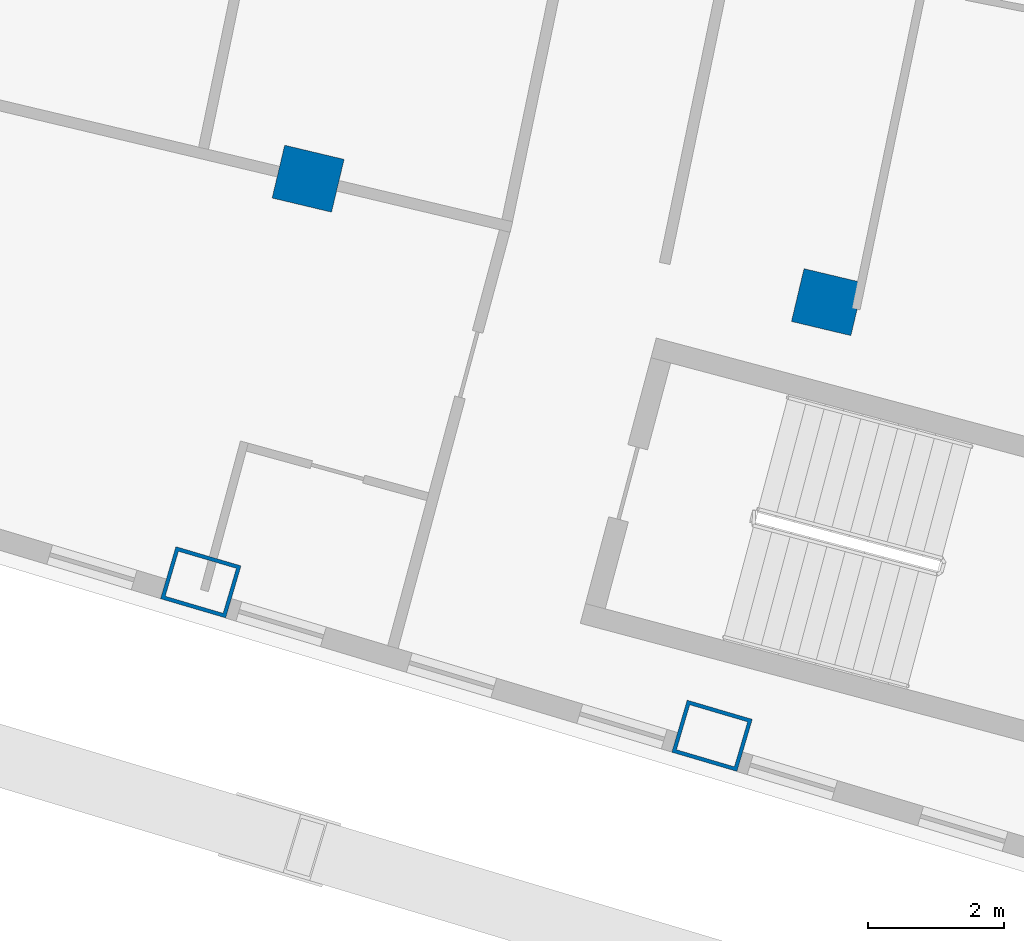
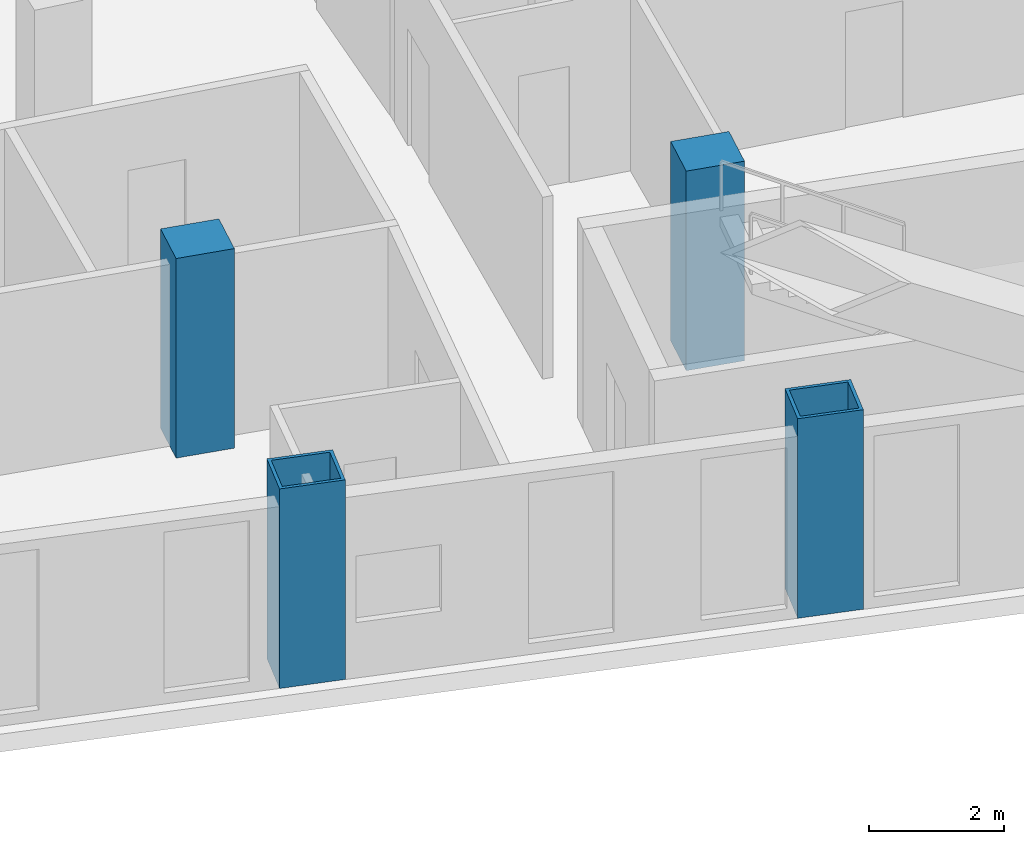
# One storey, part 2 of 22: 4 columns.
"""IFC4 building model written with IfcOpenShell, lengths in metres."""

from ifc_helpers import new_model, si_unit, direction, frame, origin, origin_2d, place, context, subcontext, project, spatial, rectangle, hollow_rectangle, extrude, material, material_profile, profile_set, type_object, element, save


model = new_model("IFC4")

# Units and contexts
model_context = context("Model", 3, precision=1e-05, world=origin(), true_north=direction((0.0, 1.0)))
body_context = subcontext(model_context, "Body", "Model", "MODEL_VIEW")
ifc_project = project(units=[si_unit("LENGTHUNIT", "METRE"), si_unit("AREAUNIT", "SQUARE_METRE"), si_unit("VOLUMEUNIT", "CUBIC_METRE"), si_unit("PLANEANGLEUNIT", "RADIAN"), si_unit("MASSUNIT", "GRAM", prefix="KILO")], contexts=[model_context])

# Site, building, storey
site_placement = place(None, origin())
site = spatial("IfcSite", under=ifc_project, at=site_placement, CompositionType="ELEMENT")
building_placement = place(site_placement, origin())
building = spatial("IfcBuilding", under=site, at=building_placement, Name="Alderwake Tower", CompositionType="ELEMENT")
storey_placement = place(building_placement, frame((0.0, 0.0, 160.39990234375)))
storey = spatial("IfcBuildingStorey", under=building, at=storey_placement, Name="L39", CompositionType="ELEMENT", Elevation=160.39990234375)

# Columns
ifc_material_1 = material(Name="Steel ASTM A572 Grade 50 concrete filled C70/85", Category="concrete")
ifc_material_profile_1 = material_profile(ifc_material_1, hollow_rectangle(XDim=0.800048828125, YDim=1.0, WallThickness=0.054931640625, at=origin_2d()), Name="BOX 1000X800X55")
ifc_profile_set_1 = profile_set([ifc_material_profile_1], Name="Steel ASTM A572 Grade 50 concrete filled C70/85")
column_type_1 = type_object("IfcColumnType", Name="End column Z3", PredefinedType="COLUMN", material=ifc_profile_set_1)
for number, where, z_axis, x_axis, name in (
    (1, (31.080322265625, 28.27685546875, 0.0), (0.0, 0.0, 1.0), (0.282582549822, 0.959242984095, 0.0), "Column R02-C2"),
    (2, (38.614990234375, 26.014892578125, 0.0), (0.0, 0.0, 1.0), (0.282898957267, 0.959149717186, 0.0), "Column R02-C3"),
):
    element("IfcColumn", number, at=place(storey_placement, frame(where, z_axis=z_axis, x_axis=x_axis)), inside=storey, type_object=column_type_1, Name=name, PredefinedType="COLUMN", context=body_context, shape_type="SweptSolid", body=[
        extrude(hollow_rectangle(XDim=0.800048828125, YDim=1.0, WallThickness=0.054931640625, at=origin_2d()), origin(), (0.0, 0.0, 1.0), 3.60009765625),
    ])
ifc_material_2 = material(Name="Concrete C70/85", Category="concrete")
ifc_material_profile_2 = material_profile(ifc_material_2, rectangle(XDim=0.800048828125, YDim=0.89990234375, at=origin_2d()), Name="RC 900X800")
ifc_profile_set_2 = profile_set([ifc_material_profile_2], Name="Concrete C70/85")
column_type_2 = type_object("IfcColumnType", Name="Interior column Z3", PredefinedType="COLUMN", material=ifc_profile_set_2)
for number, where, z_axis, x_axis, name in (
    (3, (32.661865234375, 34.224609375, 0.0), (0.0, 0.0, 1.0), (0.231221547198, 0.972901123502, 0.0), "Column R03-C2"),
    (4, (40.3154296875, 32.405517578125, 0.0), (0.0, 0.0, 1.0), (0.231221547198, 0.972901123502, 0.0), "Column R03-C3"),
):
    element("IfcColumn", number, at=place(storey_placement, frame(where, z_axis=z_axis, x_axis=x_axis)), inside=storey, type_object=column_type_2, Name=name, PredefinedType="COLUMN", context=body_context, shape_type="SweptSolid", body=[
        extrude(rectangle(XDim=0.800048828125, YDim=0.89990234375, at=origin_2d()), origin(), (0.0, 0.0, 1.0), 3.60009765625),
    ])

save(model, "model.ifc")
